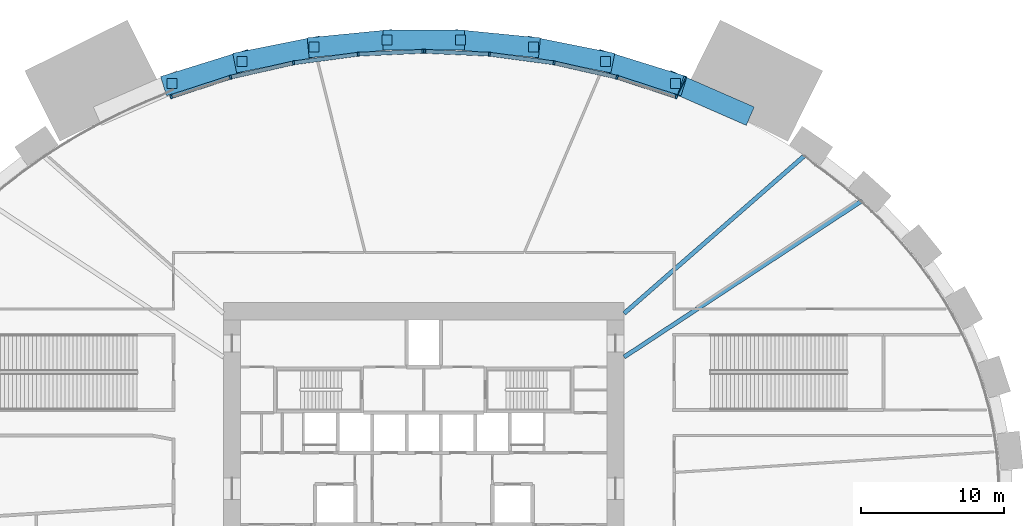
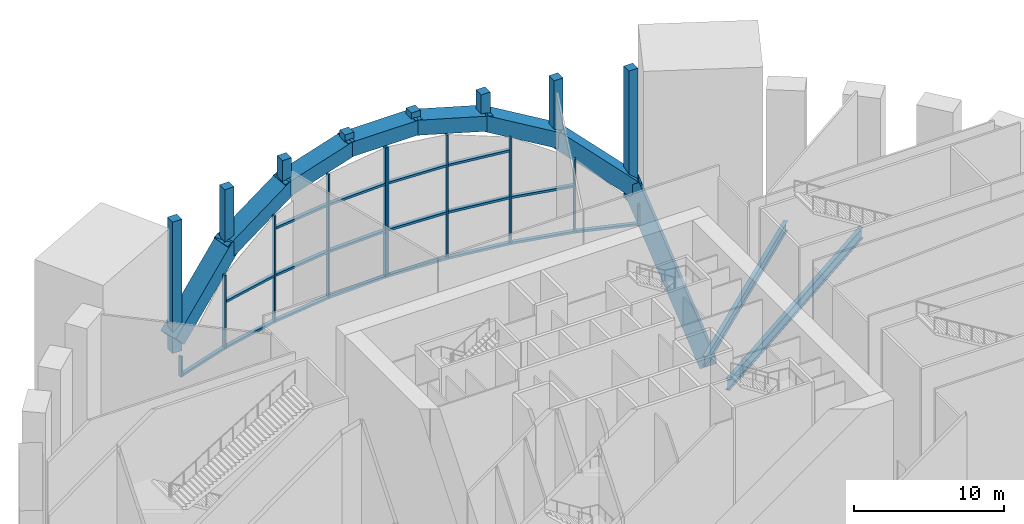
# One storey, part 4 of 21: 44 members, 2 beams, 2 elements without a shape of their own.
"""IFC4 building model written with IfcOpenShell, lengths in metres."""

from ifc_helpers import new_model, si_unit, direction, frame, origin, origin_2d, place, context, subcontext, project, spatial, rectangle, i_section, extrude, source, transform, mapped, material, material_profile, profile_set, type_object, element, aggregate, save


model = new_model("IFC4")

# Units and contexts
model_context = context("Model", 3, precision=1e-05, world=origin(), true_north=direction((0.0, 1.0)))
body_context = subcontext(model_context, "Body", "Model", "MODEL_VIEW")
ifc_project = project(units=[si_unit("LENGTHUNIT", "METRE"), si_unit("AREAUNIT", "SQUARE_METRE"), si_unit("VOLUMEUNIT", "CUBIC_METRE"), si_unit("PLANEANGLEUNIT", "RADIAN"), si_unit("MASSUNIT", "GRAM", prefix="KILO")], contexts=[model_context])

# Site, building, storey
site_placement = place(None, origin())
site = spatial("IfcSite", under=ifc_project, at=site_placement, CompositionType="ELEMENT")
building_placement = place(site_placement, origin())
building = spatial("IfcBuilding", under=site, at=building_placement, Name="Embergate Tower", CompositionType="ELEMENT")
storey_placement = place(building_placement, frame((0.0, 0.0, 12.0)))
storey = spatial("IfcBuildingStorey", under=building, at=storey_placement, Name="L01", CompositionType="ELEMENT", Elevation=12.0)

# Beams
ifc_material_1 = material(Name="Steel Q355B", Category="steel")
ifc_material_profile_1 = material_profile(ifc_material_1, i_section(OverallWidth=0.300048828125, OverallDepth=0.89990234375, WebThickness=0.01611328125, FlangeThickness=0.028076171875, FilletRadius=0.028076171875, at=origin_2d()), Name="HN 900x300x16x28")
ifc_profile_set_1 = profile_set([ifc_material_profile_1], Name="Steel Q355 grade B")
beam_type_1 = type_object("IfcBeamType", Name="Radial girder HN 900x300x16x28", PredefinedType="BEAM", material=ifc_profile_set_1)
shared_shape_1 = source(origin(), body_context, "Body", "SweptSolid", [
    extrude(i_section(OverallWidth=0.300048828125, OverallDepth=0.89990234375, WebThickness=0.01611328125, FlangeThickness=0.028076171875, FilletRadius=0.028076171875, at=origin_2d()), origin(), (0.0, 0.0, 1.0), 19.915283203125),
])
beam_1_placement = place(storey_placement, frame((30.64404296875, 20.134033203125, -0.75), z_axis=(-0.835739557049, -0.549126026322, 0.0), x_axis=(0.549126026322, -0.835739557049, 0.0)))
element("IfcBeam", 1, at=beam_1_placement, inside=storey, type_object=beam_type_1, Name="GIR-L01-04", PredefinedType="BEAM", context=body_context, shape_type="MappedRepresentation", body=[
    mapped(shared_shape_1, transform((0.0, 0.0, 0.0))),
])
ifc_material_profile_2 = material_profile(ifc_material_1, i_section(OverallWidth=0.300048828125, OverallDepth=0.800048828125, WebThickness=0.013916015625, FlangeThickness=0.02587890625, FilletRadius=0.028076171875, at=origin_2d()), Name="HN 800x300x14x26")
ifc_profile_set_2 = profile_set([ifc_material_profile_2], Name="Steel Q355 grade B")
beam_type_2 = type_object("IfcBeamType", Name="Radial girder HN 800x300x14x26", PredefinedType="BEAM", material=ifc_profile_set_2)
shared_shape_2 = source(origin(), body_context, "Body", "SweptSolid", [
    extrude(i_section(OverallWidth=0.300048828125, OverallDepth=0.800048828125, WebThickness=0.013916015625, FlangeThickness=0.02587890625, FilletRadius=0.028076171875, at=origin_2d()), origin(), (0.0, 0.0, 1.0), 16.760498046875),
])
beam_2_placement = place(storey_placement, frame((26.616943359375, 23.27587890625, -0.699951171875), z_axis=(-0.752779686922, -0.658272544587, 0.0), x_axis=(0.658272544587, -0.752779686922, 0.0)))
element("IfcBeam", 2, at=beam_2_placement, inside=storey, type_object=beam_type_2, Name="GIR-L01-05", PredefinedType="BEAM", context=body_context, shape_type="MappedRepresentation", body=[
    mapped(shared_shape_2, transform((0.0, 0.0, 0.0))),
])

# Members
ifc_material_2 = material(Name="Concrete C70", Category="concrete")
ifc_material_profile_3 = material_profile(ifc_material_2, rectangle(XDim=1.39990234375, YDim=1.199951171875, at=origin_2d()), Name="RC 1400x1200")
ifc_profile_set_3 = profile_set([ifc_material_profile_3], Name="Concrete C70")
member_type_1 = type_object("IfcMemberType", Name="Arch rib RC 1400x1200", PredefinedType="MEMBER", material=ifc_profile_set_3)
shared_shape_3 = source(origin(), body_context, "Body", "SweptSolid", [
    extrude(rectangle(XDim=1.39990234375, YDim=1.199951171875, at=origin_2d()), origin(), (0.0, 0.0, 1.0), 16.034912109375),
])
member_1_placement = place(storey_placement, frame((22.297119140625, 26.256103515625, -12.0), z_axis=(-0.299167367821, 0.1308333855, 0.945188611479), x_axis=(-0.400684293132, -0.916216184772, 0.0)))
element("IfcMember", 3, at=member_1_placement, inside=storey, type_object=member_type_1, Name="TRF-N-RB00", PredefinedType="MEMBER", context=body_context, shape_type="MappedRepresentation", body=[
    mapped(shared_shape_3, transform((0.0, 0.0, 0.0))),
])
shared_shape_4 = source(origin(), body_context, "Body", "SweptSolid", [
    extrude(rectangle(XDim=1.39990234375, YDim=1.199951171875, at=origin_2d()), origin(), (0.0, 0.0, 1.0), 7.5419921875),
])
for number, where, z_axis, x_axis, name in (
    (4, (17.802001953125, 28.2490234375, 2.669921875), (-0.705789108189, 0.219832767679, 0.673450286968), (-0.297379732721, -0.95475928619, 0.0), "TRF-N-RB01"),
    (5, (-12.47900390625, 29.906982421875, 7.7490234375), (-0.705789108189, -0.219832767679, -0.673450286968), (0.297379732721, -0.95475928619, 0.0), "TRF-N-RB07"),
):
    element("IfcMember", number, at=place(storey_placement, frame(where, z_axis=z_axis, x_axis=x_axis)), inside=storey, type_object=member_type_1, Name=name, PredefinedType="MEMBER", context=body_context, shape_type="MappedRepresentation", body=[
        mapped(shared_shape_4, transform((0.0, 0.0, 0.0))),
    ])
shared_shape_5 = source(origin(), body_context, "Body", "SweptSolid", [
    extrude(rectangle(XDim=1.39990234375, YDim=1.199951171875, at=origin_2d()), origin(), (0.0, 0.0, 1.0), 6.31396484375),
])
for number, where, z_axis, x_axis, name in (
    (6, (12.955078125, 29.7880859375, 7.4150390625), (-0.879962468188, 0.176433286859, 0.441063884112), (-0.196588369895, -0.980486110469, 0.0), "TRF-N-RB02"),
    (7, (-7.39892578125, 30.902099609375, 10.199951171875), (-0.879962468188, -0.176433286859, -0.441063884112), (0.196588369895, -0.980486110469, 0.0), "TRF-N-RB06"),
):
    element("IfcMember", number, at=place(storey_placement, frame(where, z_axis=z_axis, x_axis=x_axis)), inside=storey, type_object=member_type_1, Name=name, PredefinedType="MEMBER", context=body_context, shape_type="MappedRepresentation", body=[
        mapped(shared_shape_5, transform((0.0, 0.0, 0.0))),
    ])
shared_shape_6 = source(origin(), body_context, "Body", "SweptSolid", [
    extrude(rectangle(XDim=1.39990234375, YDim=1.199951171875, at=origin_2d()), origin(), (0.0, 0.0, 1.0), 5.850830078125),
])
for number, where, z_axis, x_axis, name in (
    (8, (7.9541015625, 30.820068359375, 10.0029296875), (-0.971314978913, 0.095512500504, 0.217771839288), (-0.097861198033, -0.995200073312, 0.0), "TRF-N-RB03"),
    (9, (-2.27099609375, 31.37890625, 11.277099609375), (-0.971314978913, -0.095512500504, -0.217771839288), (0.097861198033, -0.995200073312, 0.0), "TRF-N-RB05"),
):
    element("IfcMember", number, at=place(storey_placement, frame(where, z_axis=z_axis, x_axis=x_axis)), inside=storey, type_object=member_type_1, Name=name, PredefinedType="MEMBER", context=body_context, shape_type="MappedRepresentation", body=[
        mapped(shared_shape_6, transform((0.0, 0.0, 0.0))),
    ])
shared_shape_7 = source(origin(), body_context, "Body", "SweptSolid", [
    extrude(rectangle(XDim=1.39990234375, YDim=1.199951171875, at=origin_2d()), origin(), (0.0, 0.0, 1.0), 5.72412109375),
])
member_2_placement = place(storey_placement, frame((2.862060546875, 31.35009765625, 11.2119140625), z_axis=(-1.0, 0.0, 0.0), x_axis=(0.0, -1.0, 0.0)))
element("IfcMember", 10, at=member_2_placement, inside=storey, type_object=member_type_1, Name="TRF-N-RB04", PredefinedType="MEMBER", context=body_context, shape_type="MappedRepresentation", body=[
    mapped(shared_shape_7, transform((0.0, 0.0, 0.0))),
])
ifc_material_profile_4 = material_profile(ifc_material_2, rectangle(XDim=0.699951171875, YDim=0.699951171875, at=origin_2d()), Name="RC 700x700")
ifc_profile_set_4 = profile_set([ifc_material_profile_4], Name="Concrete C70")
member_type_2 = type_object("IfcMemberType", Name="Arch spandrel strut RC 700x700", PredefinedType="STRUT", material=ifc_profile_set_4)
shared_shape_8 = source(origin(), body_context, "Body", "SweptSolid", [
    extrude(rectangle(XDim=0.699951171875, YDim=0.699951171875, at=origin_2d()), origin(), (0.0, 0.0, 1.0), 10.719970703125),
])
for number, where, z_axis, x_axis, name in (
    (11, (17.590087890625, 28.31494140625, 1.580078125), (0.0, 0.0, 1.0), (1.0, 0.0, 0.0), "TRF-N-ST02"),
    (12, (-17.590087890625, 28.31494140625, 1.580078125), (0.0, 0.0, 1.0), (1.0, 0.0, 0.0), "TRF-N-ST16"),
):
    element("IfcMember", number, at=place(storey_placement, frame(where, z_axis=z_axis, x_axis=x_axis)), inside=storey, type_object=member_type_2, Name=name, PredefinedType="STRUT", context=body_context, shape_type="MappedRepresentation", body=[
        mapped(shared_shape_8, transform((0.0, 0.0, 0.0))),
    ])
shared_shape_9 = source(origin(), body_context, "Body", "SweptSolid", [
    extrude(rectangle(XDim=0.699951171875, YDim=0.699951171875, at=origin_2d()), origin(), (0.0, 0.0, 1.0), 5.486083984375),
])
for number, where, z_axis, x_axis, name in (
    (13, (12.69091796875, 29.841064453125, 6.81396484375), (0.0, 0.0, 1.0), (1.0, 0.0, 0.0), "TRF-N-ST04"),
    (14, (-12.69091796875, 29.841064453125, 6.81396484375), (0.0, 0.0, 1.0), (1.0, 0.0, 0.0), "TRF-N-ST14"),
):
    element("IfcMember", number, at=place(storey_placement, frame(where, z_axis=z_axis, x_axis=x_axis)), inside=storey, type_object=member_type_2, Name=name, PredefinedType="STRUT", context=body_context, shape_type="MappedRepresentation", body=[
        mapped(shared_shape_9, transform((0.0, 0.0, 0.0))),
    ])
shared_shape_10 = source(origin(), body_context, "Body", "SweptSolid", [
    extrude(rectangle(XDim=0.699951171875, YDim=0.699951171875, at=origin_2d()), origin(), (0.0, 0.0, 1.0), 2.869140625),
])
for number, where, z_axis, x_axis, name in (
    (15, (7.6630859375, 30.84912109375, 9.430908203125), (0.0, 0.0, 1.0), (1.0, 0.0, 0.0), "TRF-N-ST06"),
    (16, (-7.6630859375, 30.84912109375, 9.430908203125), (0.0, 0.0, 1.0), (1.0, 0.0, 0.0), "TRF-N-ST12"),
):
    element("IfcMember", number, at=place(storey_placement, frame(where, z_axis=z_axis, x_axis=x_axis)), inside=storey, type_object=member_type_2, Name=name, PredefinedType="STRUT", context=body_context, shape_type="MappedRepresentation", body=[
        mapped(shared_shape_10, transform((0.0, 0.0, 0.0))),
    ])
shared_shape_11 = source(origin(), body_context, "Body", "SweptSolid", [
    extrude(rectangle(XDim=0.699951171875, YDim=0.699951171875, at=origin_2d()), origin(), (0.0, 0.0, 1.0), 1.692138671875),
])
for number, where, z_axis, x_axis, name in (
    (17, (2.56201171875, 31.35009765625, 10.60791015625), (0.0, 0.0, 1.0), (1.0, 0.0, 0.0), "TRF-N-ST08"),
    (18, (-2.56201171875, 31.35009765625, 10.60791015625), (0.0, 0.0, 1.0), (1.0, 0.0, 0.0), "TRF-N-ST10"),
):
    element("IfcMember", number, at=place(storey_placement, frame(where, z_axis=z_axis, x_axis=x_axis)), inside=storey, type_object=member_type_2, Name=name, PredefinedType="STRUT", context=body_context, shape_type="MappedRepresentation", body=[
        mapped(shared_shape_11, transform((0.0, 0.0, 0.0))),
    ])

# Curtain wall, member
ifc_material_3 = material(Name="Aluminium and glass", Category="aluminium")
curtain_wall_type = type_object("IfcCurtainWallType", Name="Portal infill glazing", PredefinedType="NOTDEFINED", material=ifc_material_3)
curtain_wall_1_placement = place(storey_placement, origin())
curtain_wall_1 = element("IfcCurtainWall", 19, at=curtain_wall_1_placement, inside=storey, type_object=curtain_wall_type, Name="Portal infill glazing N 1", ObjectType="PORTAL INFILL GLAZING", PredefinedType="USERDEFINED")
ifc_material_4 = material(Name="Aluminium, thermally broken", Category="aluminium")
ifc_material_profile_5 = material_profile(ifc_material_4, rectangle(XDim=0.280029296875, YDim=0.139892578125, at=origin_2d()), Name="AL 140x280")
ifc_profile_set_5 = profile_set([ifc_material_profile_5], Name="Aluminium, thermally broken")
member_type_3 = type_object("IfcMemberType", Name="Portal mullion", PredefinedType="MULLION", material=ifc_profile_set_5)
shared_shape_12 = source(origin(), body_context, "Body", "SweptSolid", [
    extrude(rectangle(XDim=0.280029296875, YDim=0.139892578125, at=origin_2d()), origin(), (0.0, 0.0, 1.0), 1.64892578125),
])
member_3_placement = place(storey_placement, frame((17.658447265625, 27.391845703125, 0.0), z_axis=(0.0, 0.0, 1.0), x_axis=(-0.311044696067, -0.950395284631, 0.0)))
member_3 = element("IfcMember", 20, at=member_3_placement, type_object=member_type_3, Name="CW mullion 1", PredefinedType="MULLION", context=body_context, shape_type="MappedRepresentation", body=[
    mapped(shared_shape_12, transform((0.0, 0.0, 0.0))),
])

curtain_wall_2_placement = place(storey_placement, origin())
curtain_wall_2 = element("IfcCurtainWall", 21, at=curtain_wall_2_placement, inside=storey, type_object=curtain_wall_type, Name="Portal infill glazing N 2", ObjectType="PORTAL INFILL GLAZING", PredefinedType="USERDEFINED")
member_4_placement = place(storey_placement, frame((-17.658447265625, 27.391845703125, 0.0), z_axis=(0.0, 0.0, 1.0), x_axis=(0.311044696067, -0.950395284631, 0.0)))
member_4 = element("IfcMember", 22, at=member_4_placement, type_object=member_type_3, Name="CW mullion 5", PredefinedType="MULLION", context=body_context, shape_type="MappedRepresentation", body=[
    mapped(shared_shape_12, transform((0.0, 0.0, 0.0))),
])

# Member
shared_shape_13 = source(origin(), body_context, "Body", "SweptSolid", [
    extrude(rectangle(XDim=0.280029296875, YDim=0.139892578125, at=origin_2d()), origin(), (0.0, 0.0, 1.0), 6.008544921875),
])
member_5_placement = place(storey_placement, frame((13.504638671875, 28.751220703125, 0.0), z_axis=(0.0, 0.0, 1.0), x_axis=(-0.265924601476, -0.963993831064, 0.0)))
member_5 = element("IfcMember", 23, at=member_5_placement, type_object=member_type_3, Name="CW mullion 2", PredefinedType="MULLION", context=body_context, shape_type="MappedRepresentation", body=[
    mapped(shared_shape_13, transform((0.0, 0.0, 0.0))),
])

member_6_placement = place(storey_placement, frame((-13.504638671875, 28.751220703125, 0.0), z_axis=(0.0, 0.0, 1.0), x_axis=(0.265924601476, -0.963993831064, 0.0)))
member_6 = element("IfcMember", 24, at=member_6_placement, type_object=member_type_3, Name="CW mullion 4", PredefinedType="MULLION", context=body_context, shape_type="MappedRepresentation", body=[
    mapped(shared_shape_13, transform((0.0, 0.0, 0.0))),
])

shared_shape_14 = source(origin(), body_context, "Body", "SweptSolid", [
    extrude(rectangle(XDim=0.280029296875, YDim=0.139892578125, at=origin_2d()), origin(), (0.0, 0.0, 1.0), 8.706787109375),
])
member_7_placement = place(storey_placement, frame((9.104248046875, 29.751708984375, 0.0), z_axis=(0.0, 0.0, 1.0), x_axis=(-0.177146578804, -0.984184479464, 0.0)))
member_7 = element("IfcMember", 25, at=member_7_placement, type_object=member_type_3, Name="CW mullion 3", PredefinedType="MULLION", context=body_context, shape_type="MappedRepresentation", body=[
    mapped(shared_shape_14, transform((0.0, 0.0, 0.0))),
])

member_8_placement = place(storey_placement, frame((-9.104248046875, 29.751708984375, 0.0), z_axis=(0.0, 0.0, 1.0), x_axis=(0.177146578804, -0.984184479464, 0.0)))
member_8 = element("IfcMember", 26, at=member_8_placement, type_object=member_type_3, Name="CW mullion 3", PredefinedType="MULLION", context=body_context, shape_type="MappedRepresentation", body=[
    mapped(shared_shape_14, transform((0.0, 0.0, 0.0))),
])

shared_shape_15 = source(origin(), body_context, "Body", "SweptSolid", [
    extrude(rectangle(XDim=0.280029296875, YDim=0.139892578125, at=origin_2d()), origin(), (0.0, 0.0, 1.0), 10.143310546875),
])
member_9_placement = place(storey_placement, frame((4.582763671875, 30.357177734375, 0.0), z_axis=(0.0, 0.0, 1.0), x_axis=(-0.088789991203, -0.996050368938, 0.0)))
member_9 = element("IfcMember", 27, at=member_9_placement, type_object=member_type_3, Name="CW mullion 4", PredefinedType="MULLION", context=body_context, shape_type="MappedRepresentation", body=[
    mapped(shared_shape_15, transform((0.0, 0.0, 0.0))),
])

member_10_placement = place(storey_placement, frame((-4.582763671875, 30.357177734375, 0.0), z_axis=(0.0, 0.0, 1.0), x_axis=(0.088789991203, -0.996050368938, 0.0)))
member_10 = element("IfcMember", 28, at=member_10_placement, type_object=member_type_3, Name="CW mullion 2", PredefinedType="MULLION", context=body_context, shape_type="MappedRepresentation", body=[
    mapped(shared_shape_15, transform((0.0, 0.0, 0.0))),
])

shared_shape_16 = source(origin(), body_context, "Body", "SweptSolid", [
    extrude(rectangle(XDim=0.280029296875, YDim=0.139892578125, at=origin_2d()), origin(), (0.0, 0.0, 1.0), 10.614990234375),
])
member_11_placement = place(storey_placement, frame((0.06982421875, 30.556884765625, 0.0), z_axis=(0.0, 0.0, 1.0), x_axis=(-0.044210483177, -0.99902223858, 0.0)))
member_11 = element("IfcMember", 29, at=member_11_placement, type_object=member_type_3, Name="CW mullion 5", PredefinedType="MULLION", context=body_context, shape_type="MappedRepresentation", body=[
    mapped(shared_shape_16, transform((0.0, 0.0, 0.0))),
])

member_12_placement = place(storey_placement, frame((-0.06982421875, 30.556884765625, 0.0), z_axis=(0.0, 0.0, 1.0), x_axis=(0.044210483177, -0.99902223858, 0.0)))
member_12 = element("IfcMember", 30, at=member_12_placement, type_object=member_type_3, Name="CW mullion 1", PredefinedType="MULLION", context=body_context, shape_type="MappedRepresentation", body=[
    mapped(shared_shape_16, transform((0.0, 0.0, 0.0))),
])

ifc_material_profile_6 = material_profile(ifc_material_4, rectangle(XDim=0.280029296875, YDim=0.179931640625, at=origin_2d()), Name="AL 180x280")
ifc_profile_set_6 = profile_set([ifc_material_profile_6], Name="Aluminium, thermally broken")
member_type_4 = type_object("IfcMemberType", Name="Portal transom", PredefinedType="USERDEFINED", material=ifc_profile_set_6)
shared_shape_17 = source(origin(), body_context, "Body", "SweptSolid", [
    extrude(rectangle(XDim=0.280029296875, YDim=0.179931640625, at=origin_2d()), origin(), (0.0, 0.0, 1.0), 4.230712890625),
])
member_13_placement = place(storey_placement, frame((17.591796875, 27.41357421875, 0.090087890625), z_axis=(-0.950394647687, 0.311046642239, 0.0), x_axis=(-0.311046642239, -0.950394647687, 0.0)))
member_13 = element("IfcMember", 31, at=member_13_placement, type_object=member_type_4, Name="CW transom 1.1", ObjectType="TRANSOM", PredefinedType="USERDEFINED", context=body_context, shape_type="MappedRepresentation", body=[
    mapped(shared_shape_17, transform((0.0, 0.0, 0.0))),
])

member_14_placement = place(storey_placement, frame((-13.571044921875, 28.7294921875, 0.090087890625), z_axis=(-0.950394647687, -0.311046642239, 0.0), x_axis=(0.311046642239, -0.950394647687, 0.0)))
member_14 = element("IfcMember", 32, at=member_14_placement, type_object=member_type_4, Name="CW transom 4.1", ObjectType="TRANSOM", PredefinedType="USERDEFINED", context=body_context, shape_type="MappedRepresentation", body=[
    mapped(shared_shape_17, transform((0.0, 0.0, 0.0))),
])

shared_shape_18 = source(origin(), body_context, "Body", "SweptSolid", [
    extrude(rectangle(XDim=0.280029296875, YDim=0.179931640625, at=origin_2d()), origin(), (0.0, 0.0, 1.0), 4.37255859375),
])
member_15_placement = place(storey_placement, frame((13.436279296875, 28.766845703125, 0.090087890625), z_axis=(-0.97512188483, 0.221669370292, 0.0), x_axis=(-0.221669370292, -0.97512188483, 0.0)))
member_15 = element("IfcMember", 33, at=member_15_placement, type_object=member_type_4, Name="CW transom 2.1", ObjectType="TRANSOM", PredefinedType="USERDEFINED", context=body_context, shape_type="MappedRepresentation", body=[
    mapped(shared_shape_18, transform((0.0, 0.0, 0.0))),
])

member_16_placement = place(storey_placement, frame((13.436279296875, 28.766845703125, 3.833251953125), z_axis=(-0.97512188483, 0.221669370292, 0.0), x_axis=(-0.221669370292, -0.97512188483, 0.0)))
member_16 = element("IfcMember", 34, at=member_16_placement, type_object=member_type_4, Name="CW transom 2.2", ObjectType="TRANSOM", PredefinedType="USERDEFINED", context=body_context, shape_type="MappedRepresentation", body=[
    mapped(shared_shape_18, transform((0.0, 0.0, 0.0))),
])

member_17_placement = place(storey_placement, frame((-9.172607421875, 29.736083984375, 0.090087890625), z_axis=(-0.97512188483, -0.221669370292, 0.0), x_axis=(0.221669370292, -0.97512188483, 0.0)))
member_17 = element("IfcMember", 35, at=member_17_placement, type_object=member_type_4, Name="CW transom 3.1", ObjectType="TRANSOM", PredefinedType="USERDEFINED", context=body_context, shape_type="MappedRepresentation", body=[
    mapped(shared_shape_18, transform((0.0, 0.0, 0.0))),
])

member_18_placement = place(storey_placement, frame((-9.172607421875, 29.736083984375, 3.833251953125), z_axis=(-0.97512188483, -0.221669370292, 0.0), x_axis=(0.221669370292, -0.97512188483, 0.0)))
member_18 = element("IfcMember", 36, at=member_18_placement, type_object=member_type_4, Name="CW transom 3.2", ObjectType="TRANSOM", PredefinedType="USERDEFINED", context=body_context, shape_type="MappedRepresentation", body=[
    mapped(shared_shape_18, transform((0.0, 0.0, 0.0))),
])

shared_shape_19 = source(origin(), body_context, "Body", "SweptSolid", [
    extrude(rectangle(XDim=0.280029296875, YDim=0.179931640625, at=origin_2d()), origin(), (0.0, 0.0, 1.0), 4.421875),
])
member_19_placement = place(storey_placement, frame((9.034912109375, 29.7607421875, 0.090087890625), z_axis=(-0.991145253137, 0.132782104155, 0.0), x_axis=(-0.132782104155, -0.991145253137, 0.0)))
member_19 = element("IfcMember", 37, at=member_19_placement, type_object=member_type_4, Name="CW transom 3.1", ObjectType="TRANSOM", PredefinedType="USERDEFINED", context=body_context, shape_type="MappedRepresentation", body=[
    mapped(shared_shape_19, transform((0.0, 0.0, 0.0))),
])

member_20_placement = place(storey_placement, frame((9.034912109375, 29.7607421875, 3.833251953125), z_axis=(-0.991145253137, 0.132782104155, 0.0), x_axis=(-0.132782104155, -0.991145253137, 0.0)))
member_20 = element("IfcMember", 38, at=member_20_placement, type_object=member_type_4, Name="CW transom 3.2", ObjectType="TRANSOM", PredefinedType="USERDEFINED", context=body_context, shape_type="MappedRepresentation", body=[
    mapped(shared_shape_19, transform((0.0, 0.0, 0.0))),
])

member_21_placement = place(storey_placement, frame((9.034912109375, 29.7607421875, 7.666748046875), z_axis=(-0.991145253137, 0.132782104155, 0.0), x_axis=(-0.132782104155, -0.991145253137, 0.0)))
member_21 = element("IfcMember", 39, at=member_21_placement, type_object=member_type_4, Name="CW transom 3.3", ObjectType="TRANSOM", PredefinedType="USERDEFINED", context=body_context, shape_type="MappedRepresentation", body=[
    mapped(shared_shape_19, transform((0.0, 0.0, 0.0))),
])

member_22_placement = place(storey_placement, frame((-4.652099609375, 30.347900390625, 0.090087890625), z_axis=(-0.991145253137, -0.132782104155, 0.0), x_axis=(0.132782104155, -0.991145253137, 0.0)))
member_22 = element("IfcMember", 40, at=member_22_placement, type_object=member_type_4, Name="CW transom 2.1", ObjectType="TRANSOM", PredefinedType="USERDEFINED", context=body_context, shape_type="MappedRepresentation", body=[
    mapped(shared_shape_19, transform((0.0, 0.0, 0.0))),
])

member_23_placement = place(storey_placement, frame((-4.652099609375, 30.347900390625, 3.833251953125), z_axis=(-0.991145253137, -0.132782104155, 0.0), x_axis=(0.132782104155, -0.991145253137, 0.0)))
member_23 = element("IfcMember", 41, at=member_23_placement, type_object=member_type_4, Name="CW transom 2.2", ObjectType="TRANSOM", PredefinedType="USERDEFINED", context=body_context, shape_type="MappedRepresentation", body=[
    mapped(shared_shape_19, transform((0.0, 0.0, 0.0))),
])

member_24_placement = place(storey_placement, frame((-4.652099609375, 30.347900390625, 7.666748046875), z_axis=(-0.991145253137, -0.132782104155, 0.0), x_axis=(0.132782104155, -0.991145253137, 0.0)))
member_24 = element("IfcMember", 42, at=member_24_placement, type_object=member_type_4, Name="CW transom 2.3", ObjectType="TRANSOM", PredefinedType="USERDEFINED", context=body_context, shape_type="MappedRepresentation", body=[
    mapped(shared_shape_19, transform((0.0, 0.0, 0.0))),
])

shared_shape_20 = source(origin(), body_context, "Body", "SweptSolid", [
    extrude(rectangle(XDim=0.280029296875, YDim=0.179931640625, at=origin_2d()), origin(), (0.0, 0.0, 1.0), 4.377197265625),
])
member_25_placement = place(storey_placement, frame((4.5126953125, 30.3603515625, 0.090087890625), z_axis=(-0.999023787438, 0.044175469804, 0.0), x_axis=(-0.044175469804, -0.999023787438, 0.0)))
member_25 = element("IfcMember", 43, at=member_25_placement, type_object=member_type_4, Name="CW transom 4.1", ObjectType="TRANSOM", PredefinedType="USERDEFINED", context=body_context, shape_type="MappedRepresentation", body=[
    mapped(shared_shape_20, transform((0.0, 0.0, 0.0))),
])

member_26_placement = place(storey_placement, frame((4.5126953125, 30.3603515625, 3.833251953125), z_axis=(-0.999023787438, 0.044175469804, 0.0), x_axis=(-0.044175469804, -0.999023787438, 0.0)))
member_26 = element("IfcMember", 44, at=member_26_placement, type_object=member_type_4, Name="CW transom 4.2", ObjectType="TRANSOM", PredefinedType="USERDEFINED", context=body_context, shape_type="MappedRepresentation", body=[
    mapped(shared_shape_20, transform((0.0, 0.0, 0.0))),
])

member_27_placement = place(storey_placement, frame((4.5126953125, 30.3603515625, 7.666748046875), z_axis=(-0.999023787438, 0.044175469804, 0.0), x_axis=(-0.044175469804, -0.999023787438, 0.0)))
member_27 = element("IfcMember", 45, at=member_27_placement, type_object=member_type_4, Name="CW transom 4.3", ObjectType="TRANSOM", PredefinedType="USERDEFINED", context=body_context, shape_type="MappedRepresentation", body=[
    mapped(shared_shape_20, transform((0.0, 0.0, 0.0))),
])

aggregate(curtain_wall_1, [member_3, member_5, member_7, member_9, member_11, member_13, member_15, member_16, member_19, member_20, member_21, member_25, member_26, member_27])

member_28_placement = place(storey_placement, frame((-0.139892578125, 30.5537109375, 0.090087890625), z_axis=(-0.999023787438, -0.044175469804, 0.0), x_axis=(0.044175469804, -0.999023787438, 0.0)))
member_28 = element("IfcMember", 46, at=member_28_placement, type_object=member_type_4, Name="CW transom 1.1", ObjectType="TRANSOM", PredefinedType="USERDEFINED", context=body_context, shape_type="MappedRepresentation", body=[
    mapped(shared_shape_20, transform((0.0, 0.0, 0.0))),
])

member_29_placement = place(storey_placement, frame((-0.139892578125, 30.5537109375, 3.833251953125), z_axis=(-0.999023787438, -0.044175469804, 0.0), x_axis=(0.044175469804, -0.999023787438, 0.0)))
member_29 = element("IfcMember", 47, at=member_29_placement, type_object=member_type_4, Name="CW transom 1.2", ObjectType="TRANSOM", PredefinedType="USERDEFINED", context=body_context, shape_type="MappedRepresentation", body=[
    mapped(shared_shape_20, transform((0.0, 0.0, 0.0))),
])

member_30_placement = place(storey_placement, frame((-0.139892578125, 30.5537109375, 7.666748046875), z_axis=(-0.999023787438, -0.044175469804, 0.0), x_axis=(0.044175469804, -0.999023787438, 0.0)))
member_30 = element("IfcMember", 48, at=member_30_placement, type_object=member_type_4, Name="CW transom 1.3", ObjectType="TRANSOM", PredefinedType="USERDEFINED", context=body_context, shape_type="MappedRepresentation", body=[
    mapped(shared_shape_20, transform((0.0, 0.0, 0.0))),
])

aggregate(curtain_wall_2, [member_12, member_10, member_8, member_6, member_4, member_28, member_29, member_30, member_22, member_23, member_24, member_17, member_18, member_14])

save(model, "model.ifc")
